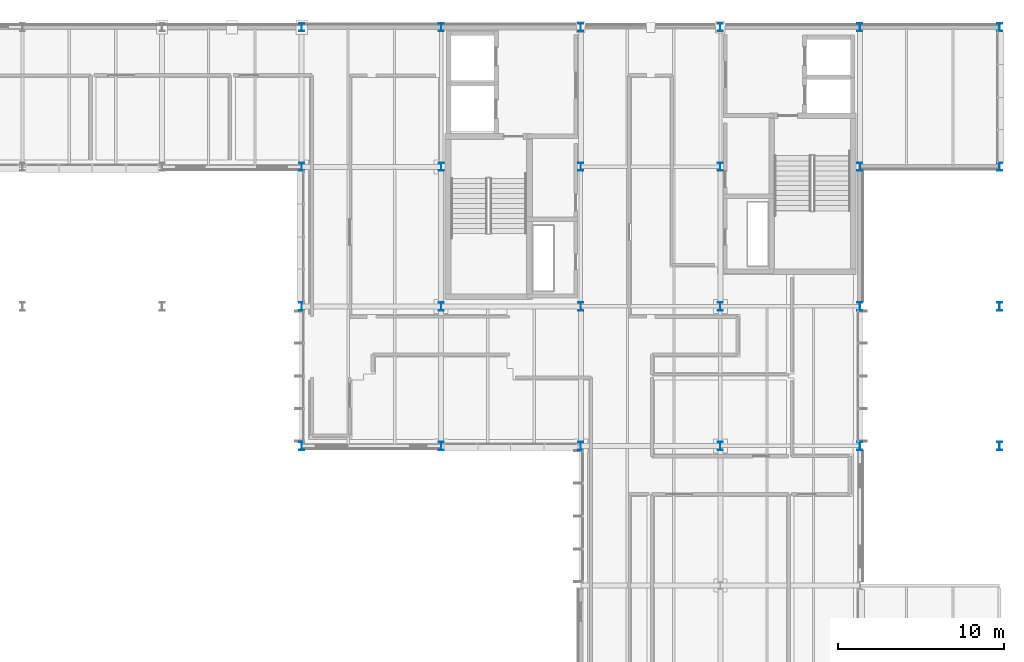
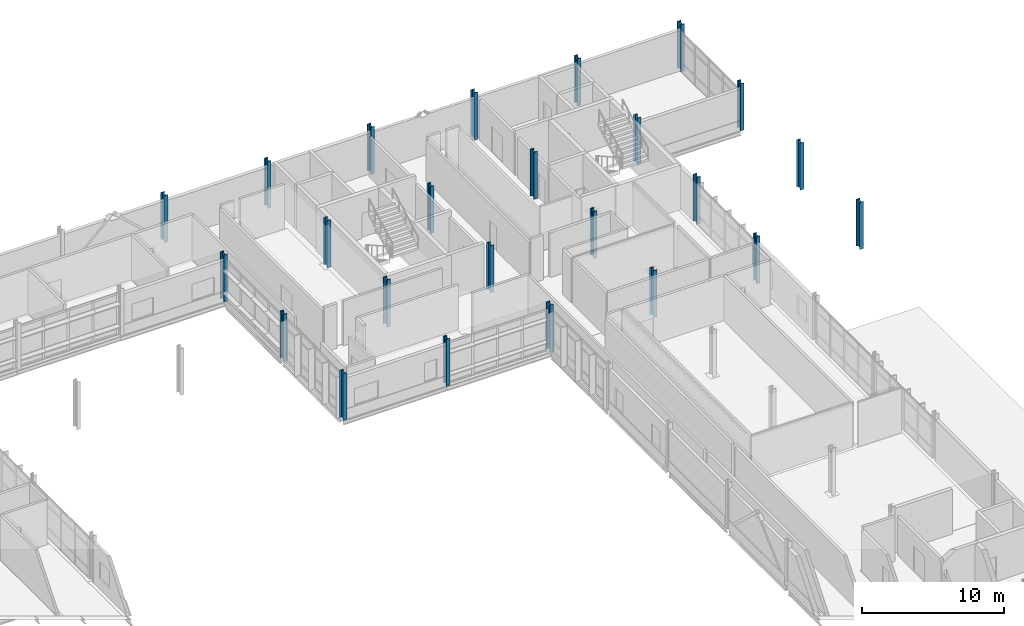
# One storey, part 13 of 151: 24 columns.
"""IFC4 building model written with IfcOpenShell, lengths in metres."""

from ifc_helpers import new_model, si_unit, direction, frame, origin, origin_2d, place, context, subcontext, project, spatial, i_section, extrude, material, material_profile, profile_set, type_object, element, save


model = new_model("IFC4")

# Units and contexts
model_context = context("Model", 3, precision=1e-05, world=origin(), true_north=direction((0.0, 1.0)))
body_context = subcontext(model_context, "Body", "Model", "MODEL_VIEW")
ifc_project = project(units=[si_unit("LENGTHUNIT", "METRE"), si_unit("AREAUNIT", "SQUARE_METRE"), si_unit("VOLUMEUNIT", "CUBIC_METRE"), si_unit("PLANEANGLEUNIT", "RADIAN"), si_unit("MASSUNIT", "GRAM", prefix="KILO")], contexts=[model_context])

# Site, building, storey
site_placement = place(None, origin())
site = spatial("IfcSite", under=ifc_project, at=site_placement, CompositionType="ELEMENT")
building_placement = place(site_placement, origin())
building = spatial("IfcBuilding", under=site, at=building_placement, Name="Mersafa Astral City Hall", CompositionType="ELEMENT")
storey_placement = place(building_placement, frame((0.0, 0.0, 9.89990234375)))
storey = spatial("IfcBuildingStorey", under=building, at=storey_placement, Name="L02", CompositionType="ELEMENT", Elevation=9.89990234375)

# Columns
ifc_material = material(Name="Steel S355", Category="steel")
ifc_material_profile = material_profile(ifc_material, i_section(OverallWidth=0.300048828125, OverallDepth=0.5, WebThickness=0.014404296875, FlangeThickness=0.028076171875, FilletRadius=0.027099609375, at=origin_2d()), Name="HEB 500")
ifc_profile_set = profile_set([ifc_material_profile], Name="Steel S355")
column_type = type_object("IfcColumnType", Name="STR-COL-HEB500", PredefinedType="COLUMN", material=ifc_profile_set)
for number, where, z_axis, x_axis, name in (
    (1, (142.800048828125, 100.800048828125, 0.0), (0.0, 0.0, 1.0), (1.0, 0.0, 0.0), "L02 Structural column G-17-12"),
    (2, (142.800048828125, 109.199951171875, 0.0), (0.0, 0.0, 1.0), (1.0, 0.0, 0.0), "L02 Structural column G-17-13"),
    (3, (142.800048828125, 117.60009765625, 0.0), (0.0, 0.0, 1.0), (1.0, 0.0, 0.0), "L02 Structural column G-17-14"),
    (4, (142.800048828125, 126.0, 0.0), (0.0, 0.0, 1.0), (1.0, 0.0, 0.0), "L02 Structural column G-17-15"),
    (5, (151.199951171875, 100.800048828125, 0.0), (0.0, 0.0, 1.0), (1.0, 0.0, 0.0), "L02 Structural column G-18-12"),
    (6, (151.199951171875, 109.199951171875, 0.0), (0.0, 0.0, 1.0), (1.0, 0.0, 0.0), "L02 Structural column G-18-13"),
    (7, (151.199951171875, 117.60009765625, 0.0), (0.0, 0.0, 1.0), (1.0, 0.0, 0.0), "L02 Structural column G-18-14"),
    (8, (151.199951171875, 126.0, 0.0), (0.0, 0.0, 1.0), (1.0, 0.0, 0.0), "L02 Structural column G-18-15"),
    (9, (159.60009765625, 100.800048828125, 0.0), (0.0, 0.0, 1.0), (1.0, 0.0, 0.0), "L02 Structural column G-19-12"),
    (10, (159.60009765625, 109.199951171875, 0.0), (0.0, 0.0, 1.0), (1.0, 0.0, 0.0), "L02 Structural column G-19-13"),
    (11, (159.60009765625, 117.60009765625, 0.0), (0.0, 0.0, 1.0), (1.0, 0.0, 0.0), "L02 Structural column G-19-14"),
    (12, (159.60009765625, 126.0, 0.0), (0.0, 0.0, 1.0), (1.0, 0.0, 0.0), "L02 Structural column G-19-15"),
    (13, (168.0, 100.800048828125, 0.0), (0.0, 0.0, 1.0), (1.0, 0.0, 0.0), "L02 Structural column G-20-12"),
    (14, (168.0, 109.199951171875, 0.0), (0.0, 0.0, 1.0), (1.0, 0.0, 0.0), "L02 Structural column G-20-13"),
    (15, (168.0, 117.60009765625, 0.0), (0.0, 0.0, 1.0), (1.0, 0.0, 0.0), "L02 Structural column G-20-14"),
    (16, (168.0, 126.0, 0.0), (0.0, 0.0, 1.0), (1.0, 0.0, 0.0), "L02 Structural column G-20-15"),
    (17, (176.39990234375, 100.800048828125, 0.0), (0.0, 0.0, 1.0), (1.0, 0.0, 0.0), "L02 Structural column G-21-12"),
    (18, (176.39990234375, 109.199951171875, 0.0), (0.0, 0.0, 1.0), (1.0, 0.0, 0.0), "L02 Structural column G-21-13"),
    (19, (176.39990234375, 117.60009765625, 0.0), (0.0, 0.0, 1.0), (1.0, 0.0, 0.0), "L02 Structural column G-21-14"),
    (20, (176.39990234375, 126.0, 0.0), (0.0, 0.0, 1.0), (1.0, 0.0, 0.0), "L02 Structural column G-21-15"),
    (21, (184.800048828125, 100.800048828125, 0.0), (0.0, 0.0, 1.0), (1.0, 0.0, 0.0), "L02 Structural column G-22-12"),
    (22, (184.800048828125, 109.199951171875, 0.0), (0.0, 0.0, 1.0), (1.0, 0.0, 0.0), "L02 Structural column G-22-13"),
    (23, (184.800048828125, 117.60009765625, 0.0), (0.0, 0.0, 1.0), (1.0, 0.0, 0.0), "L02 Structural column G-22-14"),
    (24, (184.800048828125, 126.0, 0.0), (0.0, 0.0, 1.0), (1.0, 0.0, 0.0), "L02 Structural column G-22-15"),
):
    element("IfcColumn", number, at=place(storey_placement, frame(where, z_axis=z_axis, x_axis=x_axis)), inside=storey, type_object=column_type, Name=name, PredefinedType="COLUMN", context=body_context, shape_type="SweptSolid", body=[
        extrude(i_section(OverallWidth=0.300048828125, OverallDepth=0.5, WebThickness=0.014404296875, FlangeThickness=0.028076171875, FilletRadius=0.027099609375, at=origin_2d()), origin(), (0.0, 0.0, 1.0), 4.050048828125),
    ])

save(model, "model.ifc")
